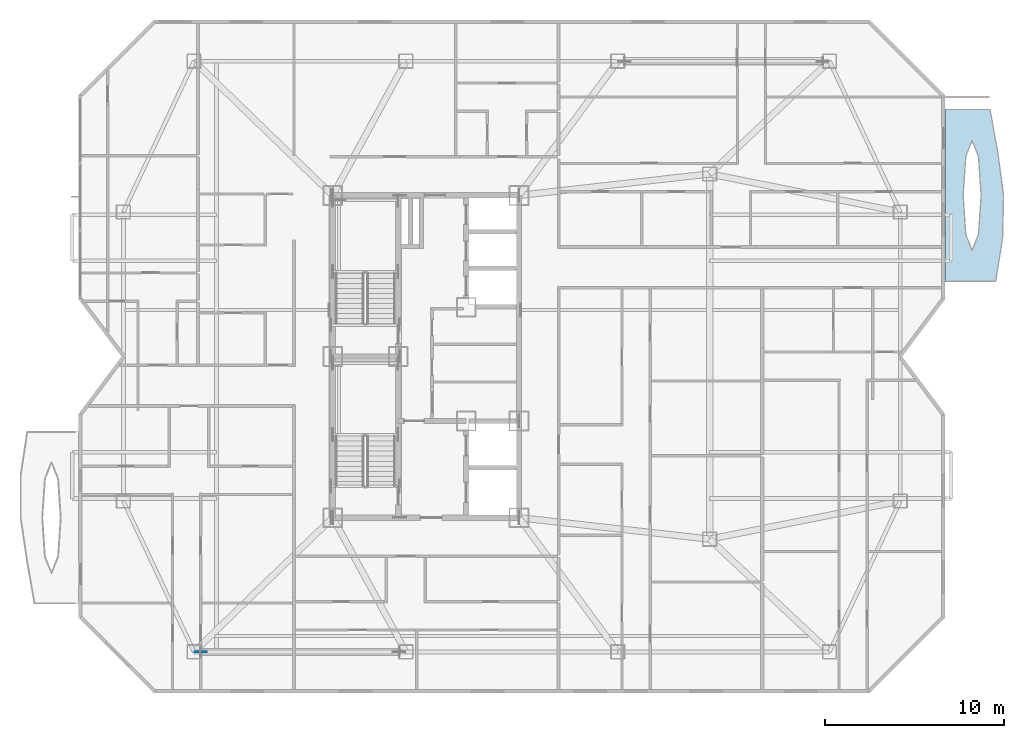
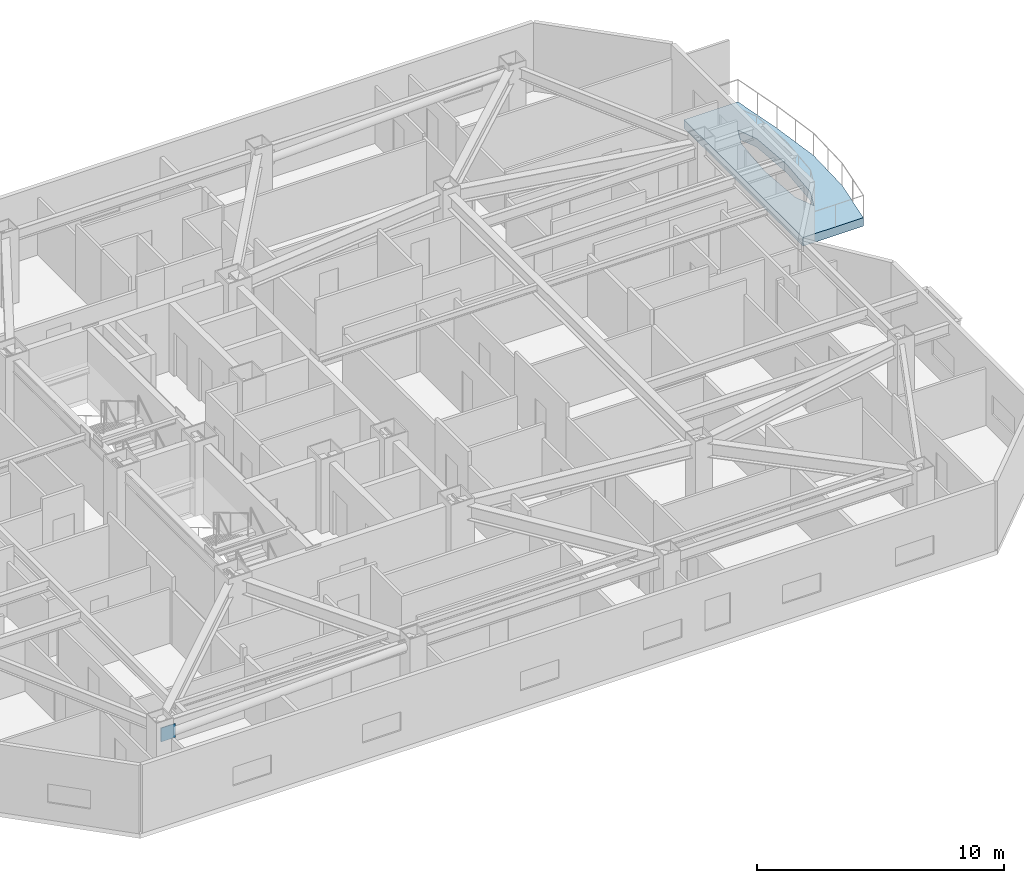
# One storey, part 9 of 20: 1 plate, 1 slab.
"""IFC4 building model written with IfcOpenShell, lengths in metres."""

from ifc_helpers import new_model, si_unit, direction, frame, origin, origin_2d, place, context, subcontext, project, spatial, polyline, rectangle, outline, extrude, material, layer, layer_set, type_object, element, save


model = new_model("IFC4")

# Units and contexts
model_context = context("Model", 3, precision=1e-05, world=origin(), true_north=direction((0.0, 1.0)))
body_context = subcontext(model_context, "Body", "Model", "MODEL_VIEW")
ifc_project = project(units=[si_unit("LENGTHUNIT", "METRE"), si_unit("AREAUNIT", "SQUARE_METRE"), si_unit("VOLUMEUNIT", "CUBIC_METRE"), si_unit("PLANEANGLEUNIT", "RADIAN"), si_unit("MASSUNIT", "GRAM", prefix="KILO")], contexts=[model_context])

# Site, building, storey
site_placement = place(None, origin())
site = spatial("IfcSite", under=ifc_project, at=site_placement, CompositionType="ELEMENT")
building_placement = place(site_placement, origin())
building = spatial("IfcBuilding", under=site, at=building_placement, Name="Khamvora Tower", CompositionType="ELEMENT")
storey_placement = place(building_placement, frame((0.0, 0.0, 203.35009765625)))
storey = spatial("IfcBuildingStorey", under=building, at=storey_placement, Name="L52", CompositionType="ELEMENT", Elevation=203.35009765625)

# Plate
ifc_material_1 = material(Name="Steel S460", Category="steel")
ifc_layer_1 = layer(ifc_material_1, 0.0400390625)
ifc_layer_set_1 = layer_set([ifc_layer_1], Name="Steel S460")
plate_type = type_object("IfcPlateType", Name="PLT-GUS-40", PredefinedType="SHEET", material=ifc_layer_set_1)
plate_placement = place(storey_placement, frame((21.6298828125, 11.5, 2.35400390625), z_axis=(0.0, 0.0, 1.0), x_axis=(1.0, 0.0, 0.0)))
element("IfcPlate", 1, at=plate_placement, inside=storey, type_object=plate_type, Name="L52 brace connection node gusset plate 0325", PredefinedType="SHEET", context=body_context, shape_type="SweptSolid", body=[
    extrude(rectangle(XDim=0.679931640625, YDim=0.0400390625, at=origin_2d()), origin(), (0.0, 0.0, 1.0), 0.679931640625),
])

# Slab
ifc_material_2 = material(Name="Concrete C40/50", Category="concrete")
ifc_layer_2 = layer(ifc_material_2, 0.419921875)
ifc_layer_set_2 = layer_set([ifc_layer_2], Name="Concrete C40/50")
slab_type = type_object("IfcSlabType", Name="SLB-GRD-420", PredefinedType="FLOOR", material=ifc_layer_set_2)
slab_placement = place(storey_placement, frame((0.0, 0.0, -0.420166015625)))
element("IfcSlab", 2, at=slab_placement, inside=storey, type_object=slab_type, Name="L52 external lens gallery slab EL2", PredefinedType="FLOOR", context=body_context, shape_type="SweptSolid", body=[
    extrude(outline(polyline([(66.027099609375, 32.199951171875), (66.4150390625, 34.60009765625), (66.471923828125, 37.0), (66.14990234375, 39.39990234375), (65.715087890625, 41.800048828125), (63.199951171875, 41.800048828125), (63.199951171875, 32.199951171875), (66.027099609375, 32.199951171875)]), holes=[polyline([(65.218994140625, 37.0), (65.071044921875, 39.172119140625), (64.715087890625, 40.072021484375), (64.35888671875, 39.172119140625), (64.2109375, 37.0), (64.35888671875, 34.827880859375), (64.715087890625, 33.927978515625), (65.071044921875, 34.827880859375), (65.218994140625, 37.0)])]), origin(), (0.0, 0.0, 1.0), 0.420166015625),
])

save(model, "model.ifc")
